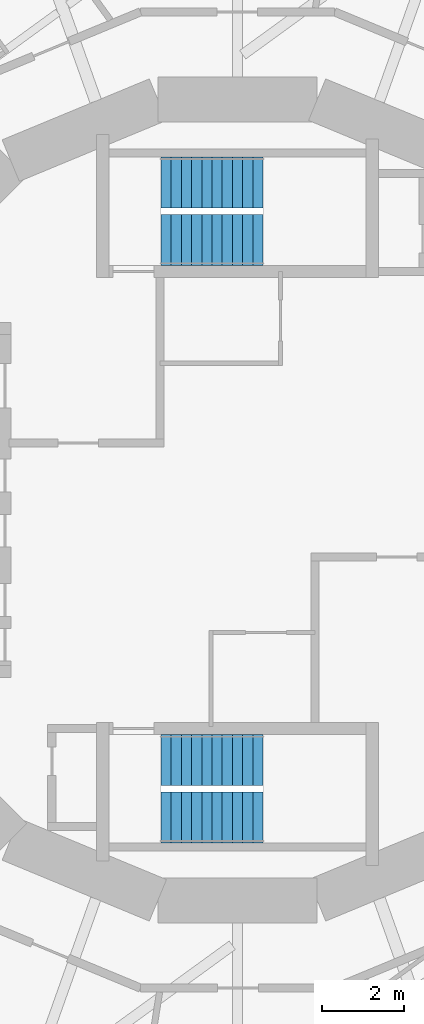
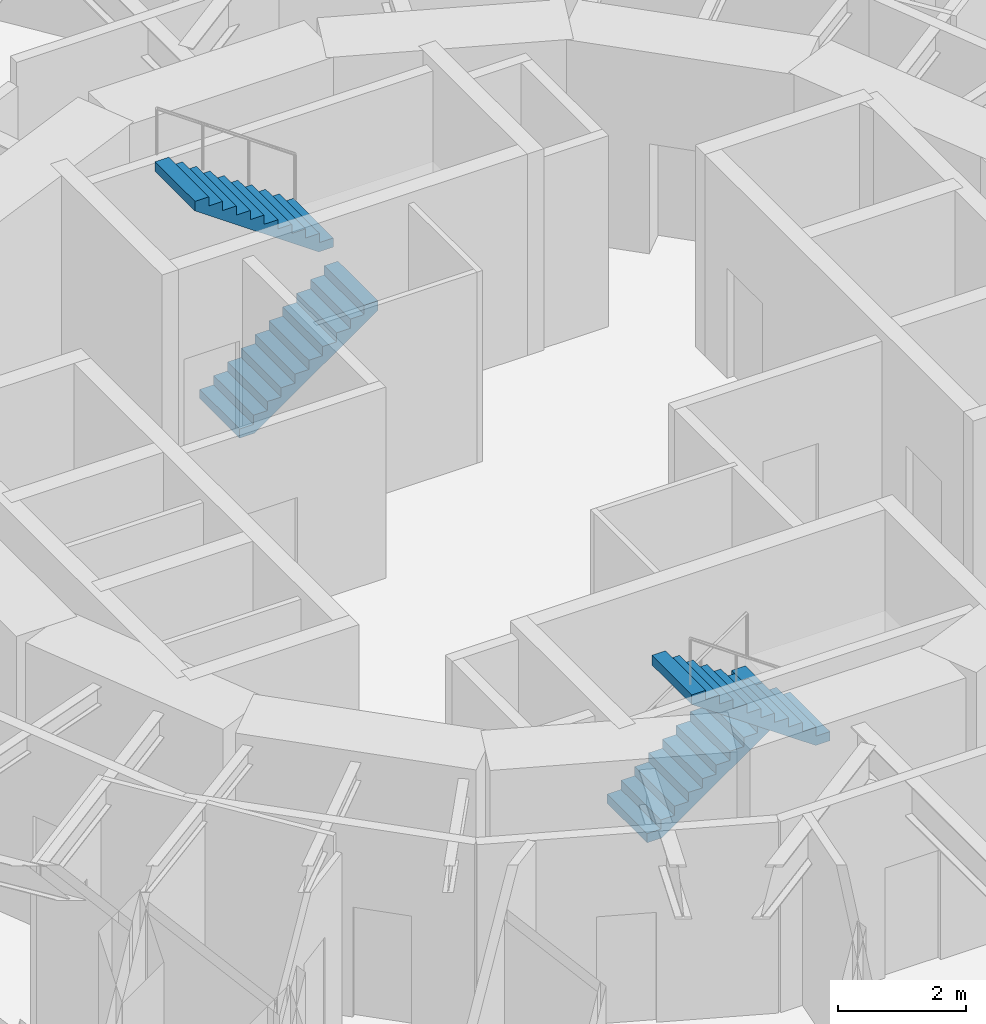
# One storey, part 8 of 9: 4 stair flights, 2 elements without a shape of their own.
"""IFC4 building model written with IfcOpenShell, lengths in metres."""

from ifc_helpers import new_model, si_unit, direction, frame, origin, place, context, subcontext, project, spatial, polyline, outline, extrude, material, type_object, element, aggregate, save


model = new_model("IFC4")

# Units and contexts
model_context = context("Model", 3, precision=1e-05, world=origin(), true_north=direction((0.0, 1.0)))
body_context = subcontext(model_context, "Body", "Model", "MODEL_VIEW")
ifc_project = project(units=[si_unit("LENGTHUNIT", "METRE"), si_unit("AREAUNIT", "SQUARE_METRE"), si_unit("VOLUMEUNIT", "CUBIC_METRE"), si_unit("PLANEANGLEUNIT", "RADIAN"), si_unit("MASSUNIT", "GRAM", prefix="KILO")], contexts=[model_context])

# Site, building, storey
site_placement = place(None, origin())
site = spatial("IfcSite", under=ifc_project, at=site_placement, CompositionType="ELEMENT")
building_placement = place(site_placement, origin())
building = spatial("IfcBuilding", under=site, at=building_placement, Name="Nakasero Lantern House", CompositionType="ELEMENT")
storey_placement = place(building_placement, frame((0.0, 0.0, 271.449951171875)))
storey = spatial("IfcBuildingStorey", under=building, at=storey_placement, Name="L66", CompositionType="ELEMENT", Elevation=271.449951171875)

# Stair, stair flights
ifc_material_1 = material(Name="Concrete C40/50", Category="concrete")
stair_type_1 = type_object("IfcStairType", Name="Escape stair ST1 22 risers", PredefinedType="HALF_TURN_STAIR", material=ifc_material_1)
stair_1_placement = place(storey_placement, origin())
stair_1 = element("IfcStair", 1, at=stair_1_placement, inside=storey, type_object=stair_type_1, Name="Escape stair ST1 L66", PredefinedType="HALF_TURN_STAIR")
ifc_material_2 = material(Name="Concrete C40/50", Category="concrete")
stair_flight_type = type_object("IfcStairFlightType", Name="Escape stair flight", PredefinedType="STRAIGHT", material=ifc_material_2)
stair_flight_1_placement = place(storey_placement, frame((-1.875, 6.375, 0.0), z_axis=(0.0, 0.0, 1.0), x_axis=(1.0, 0.0, 0.0)))
stair_flight_1 = element("IfcStairFlight", 2, at=stair_flight_1_placement, type_object=stair_flight_type, Name="ST1 flight 1", NumberOfRisers=11, NumberOfTreads=10, PredefinedType="STRAIGHT", RiserHeight=0.175, TreadLength=0.25, context=body_context, shape_type="SweptSolid", body=[
    extrude(outline(polyline([(0.0, 0.0), (0.0, 0.175048828125), (0.25, 0.175048828125), (0.25, 0.35009765625), (0.5, 0.35009765625), (0.5, 0.52490234375), (0.75, 0.52490234375), (0.75, 0.699951171875), (1.0, 0.699951171875), (1.0, 0.875), (1.25, 0.875), (1.25, 1.050048828125), (1.5, 1.050048828125), (1.5, 1.22509765625), (1.75, 1.22509765625), (1.75, 1.39990234375), (2.0, 1.39990234375), (2.0, 1.574951171875), (2.25, 1.574951171875), (2.25, 1.75), (2.5, 1.75), (2.5, 1.925048828125), (2.5, 1.567138671875), (0.261474609375, 0.0), (0.0, 0.0)])), frame((0.0, 0.625, 0.0), z_axis=(0.0, -1.0, 0.0), x_axis=(1.0, 0.0, 0.0)), (0.0, 0.0, 1.0), 1.25),
])
stair_flight_2_placement = place(storey_placement, frame((0.625, 7.77490234375, 1.925048828125), z_axis=(0.0, 0.0, 1.0), x_axis=(-1.0, 0.0, 0.0)))
stair_flight_2 = element("IfcStairFlight", 3, at=stair_flight_2_placement, type_object=stair_flight_type, Name="ST1 flight 2", NumberOfRisers=11, NumberOfTreads=10, PredefinedType="STRAIGHT", RiserHeight=0.175, TreadLength=0.25, context=body_context, shape_type="SweptSolid", body=[
    extrude(outline(polyline([(0.0, 0.0), (0.0, 0.175048828125), (0.25, 0.175048828125), (0.25, 0.35009765625), (0.5, 0.35009765625), (0.5, 0.52490234375), (0.75, 0.52490234375), (0.75, 0.699951171875), (1.0, 0.699951171875), (1.0, 0.875), (1.25, 0.875), (1.25, 1.050048828125), (1.5, 1.050048828125), (1.5, 1.22509765625), (1.75, 1.22509765625), (1.75, 1.39990234375), (2.0, 1.39990234375), (2.0, 1.574951171875), (2.25, 1.574951171875), (2.25, 1.75), (2.5, 1.75), (2.5, 1.925048828125), (2.5, 1.567138671875), (0.261474609375, 0.0), (0.0, 0.0)])), frame((0.0, 0.625, 0.0), z_axis=(0.0, -1.0, 0.0), x_axis=(1.0, 0.0, 0.0)), (0.0, 0.0, 1.0), 1.25),
])
aggregate(stair_1, [stair_flight_1, stair_flight_2])

ifc_material_3 = material(Name="Concrete C40/50", Category="concrete")
stair_type_2 = type_object("IfcStairType", Name="Escape stair ST2 22 risers", PredefinedType="HALF_TURN_STAIR", material=ifc_material_3)
stair_2_placement = place(storey_placement, origin())
stair_2 = element("IfcStair", 4, at=stair_2_placement, inside=storey, type_object=stair_type_2, Name="Escape stair ST2 L66", PredefinedType="HALF_TURN_STAIR")
stair_flight_3_placement = place(storey_placement, frame((-1.875, -6.375, 0.0), z_axis=(0.0, 0.0, 1.0), x_axis=(1.0, 0.0, 0.0)))
stair_flight_3 = element("IfcStairFlight", 5, at=stair_flight_3_placement, type_object=stair_flight_type, Name="ST2 flight 1", NumberOfRisers=11, NumberOfTreads=10, PredefinedType="STRAIGHT", RiserHeight=0.175, TreadLength=0.25, context=body_context, shape_type="SweptSolid", body=[
    extrude(outline(polyline([(0.0, 0.0), (0.0, 0.175048828125), (0.25, 0.175048828125), (0.25, 0.35009765625), (0.5, 0.35009765625), (0.5, 0.52490234375), (0.75, 0.52490234375), (0.75, 0.699951171875), (1.0, 0.699951171875), (1.0, 0.875), (1.25, 0.875), (1.25, 1.050048828125), (1.5, 1.050048828125), (1.5, 1.22509765625), (1.75, 1.22509765625), (1.75, 1.39990234375), (2.0, 1.39990234375), (2.0, 1.574951171875), (2.25, 1.574951171875), (2.25, 1.75), (2.5, 1.75), (2.5, 1.925048828125), (2.5, 1.567138671875), (0.261474609375, 0.0), (0.0, 0.0)])), frame((0.0, 0.625, 0.0), z_axis=(0.0, -1.0, 0.0), x_axis=(1.0, 0.0, 0.0)), (0.0, 0.0, 1.0), 1.25),
])
stair_flight_4_placement = place(storey_placement, frame((0.625, -7.77490234375, 1.925048828125), z_axis=(0.0, 0.0, 1.0), x_axis=(-1.0, 0.0, 0.0)))
stair_flight_4 = element("IfcStairFlight", 6, at=stair_flight_4_placement, type_object=stair_flight_type, Name="ST2 flight 2", NumberOfRisers=11, NumberOfTreads=10, PredefinedType="STRAIGHT", RiserHeight=0.175, TreadLength=0.25, context=body_context, shape_type="SweptSolid", body=[
    extrude(outline(polyline([(0.0, 0.0), (0.0, 0.175048828125), (0.25, 0.175048828125), (0.25, 0.35009765625), (0.5, 0.35009765625), (0.5, 0.52490234375), (0.75, 0.52490234375), (0.75, 0.699951171875), (1.0, 0.699951171875), (1.0, 0.875), (1.25, 0.875), (1.25, 1.050048828125), (1.5, 1.050048828125), (1.5, 1.22509765625), (1.75, 1.22509765625), (1.75, 1.39990234375), (2.0, 1.39990234375), (2.0, 1.574951171875), (2.25, 1.574951171875), (2.25, 1.75), (2.5, 1.75), (2.5, 1.925048828125), (2.5, 1.567138671875), (0.261474609375, 0.0), (0.0, 0.0)])), frame((0.0, 0.625, 0.0), z_axis=(0.0, -1.0, 0.0), x_axis=(1.0, 0.0, 0.0)), (0.0, 0.0, 1.0), 1.25),
])
aggregate(stair_2, [stair_flight_3, stair_flight_4])

save(model, "model.ifc")
